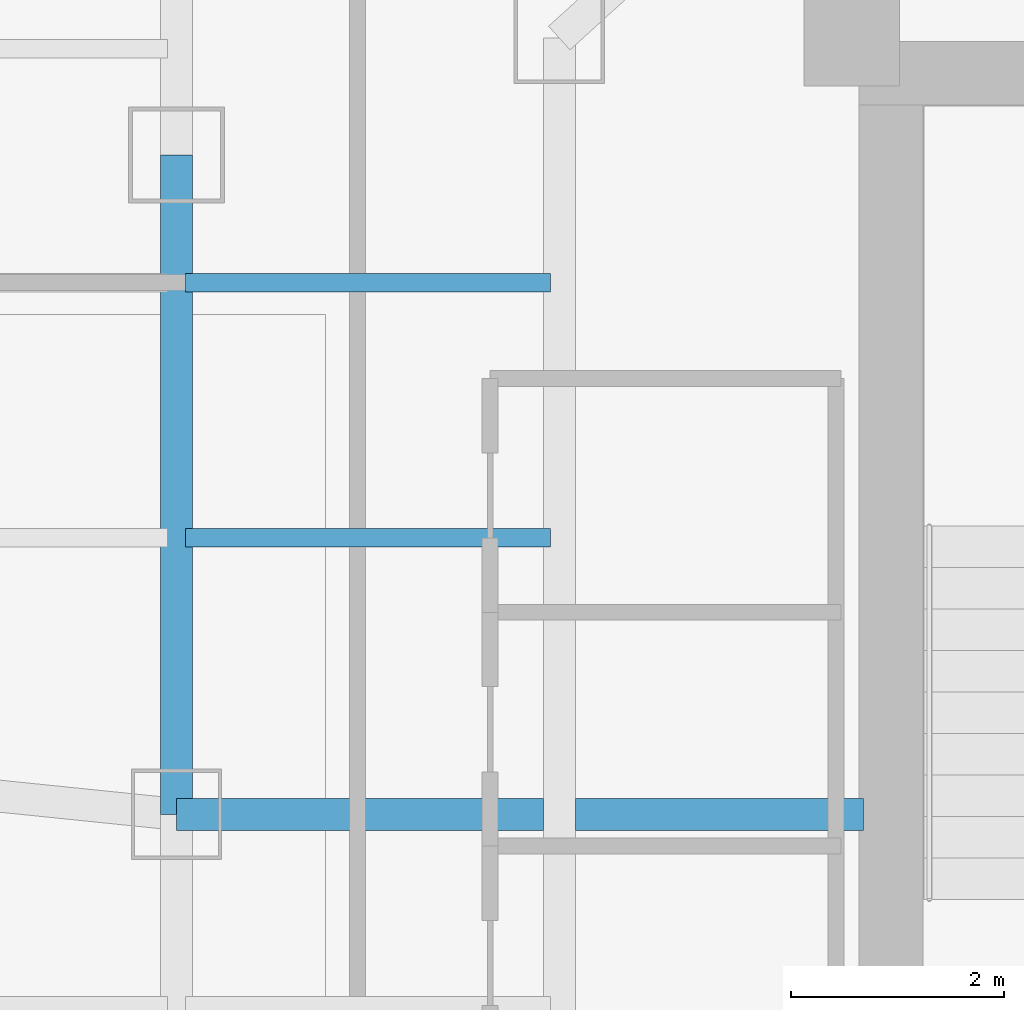
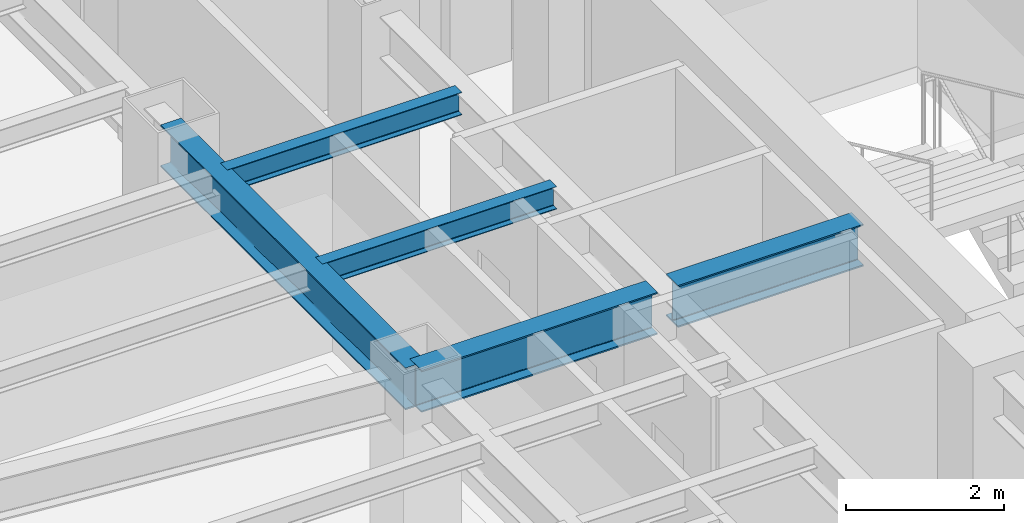
# One storey, part 16 of 29: 5 beams.
"""IFC4 building model written with IfcOpenShell, lengths in metres."""

from ifc_helpers import new_model, si_unit, direction, frame, origin, origin_2d, place, context, subcontext, project, spatial, i_section, extrude, material, material_profile, profile_set, type_object, element, save


model = new_model("IFC4")

# Units and contexts
model_context = context("Model", 3, precision=1e-05, world=origin(), true_north=direction((0.0, 1.0)))
body_context = subcontext(model_context, "Body", "Model", "MODEL_VIEW")
ifc_project = project(units=[si_unit("LENGTHUNIT", "METRE"), si_unit("AREAUNIT", "SQUARE_METRE"), si_unit("VOLUMEUNIT", "CUBIC_METRE"), si_unit("PLANEANGLEUNIT", "RADIAN"), si_unit("MASSUNIT", "GRAM", prefix="KILO")], contexts=[model_context])

# Site, building, storey
site_placement = place(None, origin())
site = spatial("IfcSite", under=ifc_project, at=site_placement, CompositionType="ELEMENT")
building_placement = place(site_placement, origin())
building = spatial("IfcBuilding", under=site, at=building_placement, Name="Hatsunagi Terrace Concourse", CompositionType="ELEMENT")
storey_placement = place(building_placement, frame((0.0, 0.0, 119.25)))
storey = spatial("IfcBuildingStorey", under=building, at=storey_placement, Name="L31", CompositionType="ELEMENT", Elevation=119.25)

# Beams
ifc_material_1 = material(Name="Steel SN490B", Category="steel")
ifc_material_profile_1 = material_profile(ifc_material_1, i_section(OverallWidth=0.175048828125, OverallDepth=0.35009765625, WebThickness=0.007080078125, FlangeThickness=0.010986328125, FilletRadius=0.012939453125, at=origin_2d()), Name="H-350x175x7x11")
ifc_profile_set_1 = profile_set([ifc_material_profile_1], Name="Steel SN490B")
beam_type_1 = type_object("IfcBeamType", Name="HotelJoist_H_350x175", PredefinedType="JOIST", material=ifc_profile_set_1)
for number, where, z_axis, x_axis, name in (
    (1, (19.284912109375, 38.60009765625, 3.175048828125), (1.0, 0.0, 0.0), (0.0, 1.0, 0.0), "Beam J-02 J-L31-W-19-386"),
    (2, (19.284912109375, 41.0, 3.175048828125), (1.0, 0.0, 0.0), (0.0, 1.0, 0.0), "Beam J-02 J-L31-W-19-410"),
):
    element("IfcBeam", number, at=place(storey_placement, frame(where, z_axis=z_axis, x_axis=x_axis)), inside=storey, type_object=beam_type_1, Name=name, PredefinedType="JOIST", context=body_context, shape_type="SweptSolid", body=[
        extrude(i_section(OverallWidth=0.175048828125, OverallDepth=0.35009765625, WebThickness=0.007080078125, FlangeThickness=0.010986328125, FilletRadius=0.012939453125, at=origin_2d()), origin(), (0.0, 0.0, 1.0), 3.43017578125),
    ])
ifc_material_2 = material(Name="Steel SN490B", Category="steel")
ifc_material_profile_2 = material_profile(ifc_material_2, i_section(OverallWidth=0.300048828125, OverallDepth=0.64990234375, WebThickness=0.012939453125, FlangeThickness=0.02197265625, FilletRadius=0.01806640625, at=origin_2d()), Name="H-650x300x13x22")
ifc_profile_set_2 = profile_set([ifc_material_profile_2], Name="Steel SN490B")
beam_type_2 = type_object("IfcBeamType", Name="OfficeLowGirder_H_650x300", PredefinedType="BEAM", material=ifc_profile_set_2)
beam_1_placement = place(storey_placement, frame((19.199951171875, 36.0, 3.02490234375), z_axis=(0.0, 1.0, 0.0), x_axis=(-1.0, 0.0, 0.0)))
element("IfcBeam", 3, at=beam_1_placement, inside=storey, type_object=beam_type_2, Name="Beam G-05 BM-L31-NS-19-36", PredefinedType="BEAM", context=body_context, shape_type="SweptSolid", body=[
    extrude(i_section(OverallWidth=0.300048828125, OverallDepth=0.64990234375, WebThickness=0.012939453125, FlangeThickness=0.02197265625, FilletRadius=0.01806640625, at=origin_2d()), origin(), (0.0, 0.0, 1.0), 6.199951171875),
])
beam_2_placement = place(storey_placement, frame((19.199951171875, 36.0, 3.02490234375), z_axis=(1.0, 0.0, 0.0), x_axis=(0.0, 1.0, 0.0)))
element("IfcBeam", 4, at=beam_2_placement, inside=storey, type_object=beam_type_2, Name="Beam G-05 BM-L31-EW-3", PredefinedType="BEAM", context=body_context, shape_type="SweptSolid", body=[
    extrude(i_section(OverallWidth=0.300048828125, OverallDepth=0.64990234375, WebThickness=0.012939453125, FlangeThickness=0.02197265625, FilletRadius=0.01806640625, at=origin_2d()), origin(), (0.0, 0.0, 1.0), 3.449951171875),
])
beam_3_placement = place(storey_placement, frame((22.949951171875, 36.0, 3.02490234375), z_axis=(1.0, 0.0, 0.0), x_axis=(0.0, 1.0, 0.0)))
element("IfcBeam", 5, at=beam_3_placement, inside=storey, type_object=beam_type_2, Name="Beam G-05 BM-L31-EW-4", PredefinedType="BEAM", context=body_context, shape_type="SweptSolid", body=[
    extrude(i_section(OverallWidth=0.300048828125, OverallDepth=0.64990234375, WebThickness=0.012939453125, FlangeThickness=0.02197265625, FilletRadius=0.01806640625, at=origin_2d()), origin(), (0.0, 0.0, 1.0), 2.7099609375),
])

save(model, "model.ifc")
